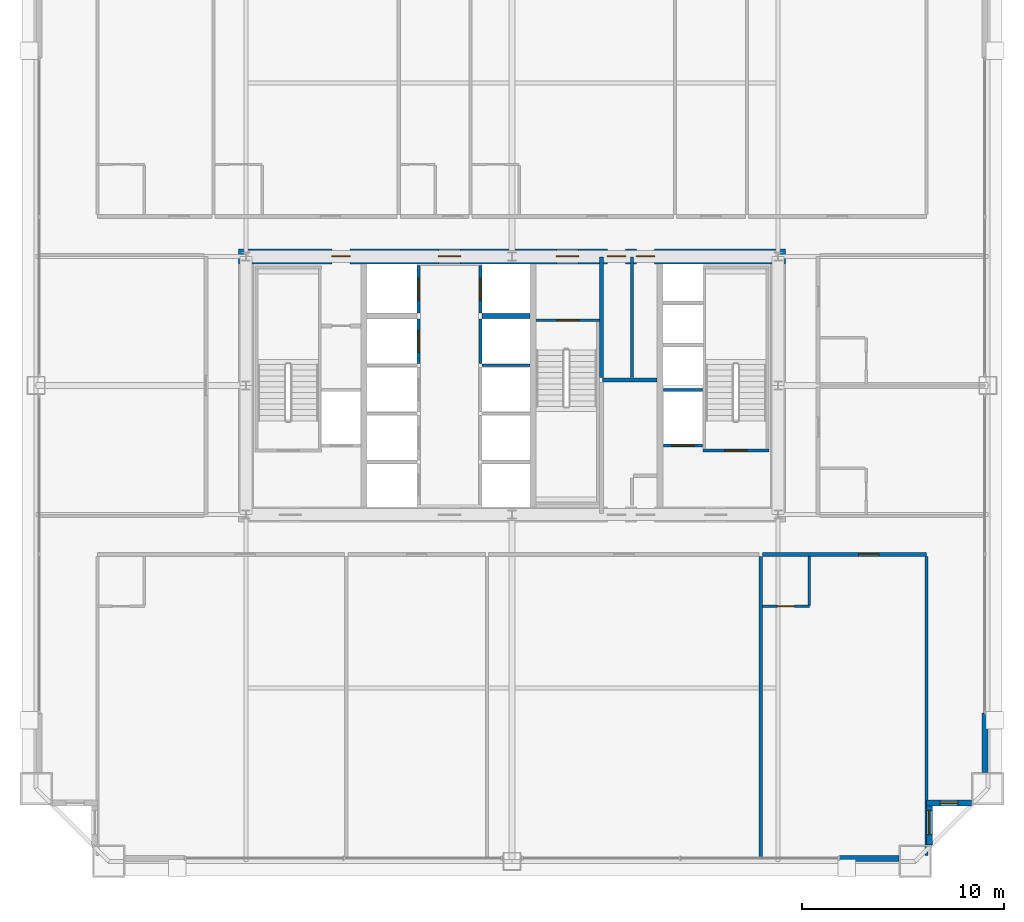
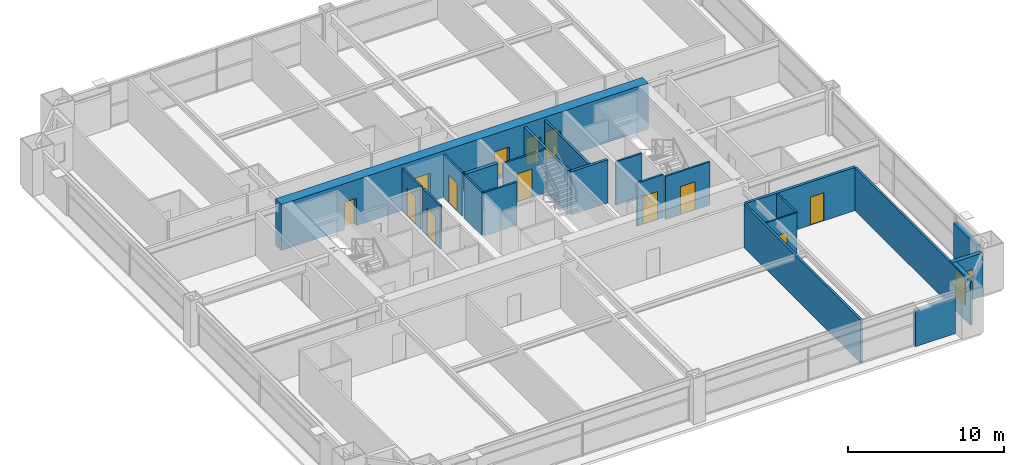
# One storey, part 35 of 38: 23 walls, 13 doors, 2 windows, 15 openings.
"""IFC4 building model written with IfcOpenShell, lengths in metres."""

from ifc_helpers import new_model, si_unit, direction, frame, frame_2d, origin, place, context, subcontext, project, spatial, rectangle, extrude, source, transform, mapped, material, layer, layer_set, type_object, element, fill, save


model = new_model("IFC4")

# Units and contexts
model_context = context("Model", 3, precision=1e-05, world=origin(), true_north=direction((0.0, 1.0)))
body_context = subcontext(model_context, "Body", "Model", "MODEL_VIEW")
ifc_project = project(units=[si_unit("LENGTHUNIT", "METRE"), si_unit("AREAUNIT", "SQUARE_METRE"), si_unit("VOLUMEUNIT", "CUBIC_METRE"), si_unit("PLANEANGLEUNIT", "RADIAN"), si_unit("MASSUNIT", "GRAM", prefix="KILO"), si_unit("THERMODYNAMICTEMPERATUREUNIT", "KELVIN"), si_unit("POWERUNIT", "WATT")], contexts=[model_context])

# Site, building, storey
site_placement = place(None, origin())
site = spatial("IfcSite", under=ifc_project, at=site_placement, CompositionType="ELEMENT")
building_placement = place(site_placement, origin())
building = spatial("IfcBuilding", under=site, at=building_placement, Name="Yuzanri Waterfront Tower", CompositionType="ELEMENT")
storey_placement = place(building_placement, frame((0.0, 0.0, 119.0)))
storey = spatial("IfcBuildingStorey", under=building, at=storey_placement, Name="L31", CompositionType="ELEMENT", Elevation=119.0)

# Wall, opening, door
ifc_material_1 = material(Name="Moisture-Resistant Gypsum Stud Wall", Category="gypsum")
ifc_layer_1 = layer(ifc_material_1, 0.1201171875)
ifc_layer_set_1 = layer_set([ifc_layer_1], Name="Moisture-Resistant Gypsum Stud Wall")
wall_type_1 = type_object("IfcWallType", Name="Bathroom and Kitchen Wet Partition 120", PredefinedType="PARTITIONING", material=ifc_layer_set_1)
wall_1_placement = place(storey_placement, frame((49.416015625, 14.840087890625, 0.0), z_axis=(0.0, 0.0, 1.0), x_axis=(1.0, 0.0, 0.0)))
wall_1 = element("IfcWall", 1, at=wall_1_placement, inside=storey, type_object=wall_type_1, Name="L31 Partition UW-L31-S4-BS", PredefinedType="PARTITIONING", context=body_context, shape_type="SweptSolid", body=[
    extrude(rectangle(XDim=2.330078125, YDim=0.1201171875, at=frame_2d((1.1650390625, 0.0))), origin(), (0.0, 0.0, 1.0), 3.3798828125),
])
opening_1_placement = place(wall_1_placement, frame((0.739990234375, 0.0, 0.0)))
opening_1 = element("IfcOpeningElement", 2, at=opening_1_placement, cuts=wall_1, Name="Opening ID-0850", PredefinedType="OPENING", context=body_context, shape_type="SweptSolid", body=[
    extrude(rectangle(XDim=0.85009765625, YDim=2.10009765625, at=frame_2d((0.425048828125, 1.050048828125))), frame((0.0, 0.074951171875, 0.0), z_axis=(0.0, -1.0, 0.0), x_axis=(1.0, 0.0, 0.0)), (0.0, 0.0, 1.0), 0.14990234375),
])
ifc_material_2 = material(Name="Moisture-Resistant Lacquered Timber", Category="wood")
door_type_1 = type_object("IfcDoorType", Name="En-Suite Bathroom and Kitchen Swing Door 850x2100", OperationType="NOTDEFINED", PredefinedType="DOOR", material=ifc_material_2)
shared_shape_1 = source(origin(), body_context, "Body", "SweptSolid", [
    extrude(rectangle(XDim=0.85009765625, YDim=2.10009765625, at=frame_2d((0.425048828125, 1.050048828125))), frame((0.0, 0.02490234375, 0.0), z_axis=(0.0, -1.0, 0.0), x_axis=(1.0, 0.0, 0.0)), (0.0, 0.0, 1.0), 0.050048828125),
])
door_1_placement = place(opening_1_placement, origin())
door_1 = element("IfcDoor", 3, at=door_1_placement, inside=storey, type_object=door_type_1, Name="L31 Guest En-Suite Door", OperationType="SINGLE_SWING_LEFT", OverallHeight=2.10009765625, OverallWidth=0.85009765625, PredefinedType="DOOR", context=body_context, shape_type="MappedRepresentation", body=[
    mapped(shared_shape_1, transform((0.0, 0.0, 0.0), scale=1.0)),
])
fill(opening_1, door_1)

# Wall, opening, window
ifc_material_3 = material(Name="Honed Chongqing Dark Basalt Stone", Category="masonry")
ifc_layer_2 = layer(ifc_material_3, 0.300048828125)
ifc_layer_set_2 = layer_set([ifc_layer_2], Name="Honed Chongqing Dark Basalt Stone")
wall_type_2 = type_object("IfcWallType", Name="Bronze Rainscreen Insulated Spandrel Portal Wall 300", PredefinedType="SOLIDWALL", material=ifc_layer_set_2)
wall_2_placement = place(storey_placement, frame((57.550048828125, 5.10009765625, 0.0), z_axis=(0.0, 0.0, 1.0), x_axis=(1.0, 0.0, 0.0)))
wall_2 = element("IfcWall", 4, at=wall_2_placement, inside=storey, type_object=wall_type_2, Name="L31 Notched Corner Masonry Wall SE-X", PredefinedType="SOLIDWALL", context=body_context, shape_type="SweptSolid", body=[
    extrude(rectangle(XDim=2.25, YDim=0.300048828125, at=frame_2d((1.125, 0.0))), origin(), (0.0, 0.0, 1.0), 3.3798828125),
])
opening_2_placement = place(wall_2_placement, frame((0.675048828125, 0.0, 0.85009765625)))
opening_2 = element("IfcOpeningElement", 5, at=opening_2_placement, cuts=wall_2, Name="Opening WN-05", PredefinedType="OPENING", context=body_context, shape_type="SweptSolid", body=[
    extrude(rectangle(XDim=0.89990234375, YDim=1.5, at=frame_2d((0.449951171875, 0.75))), frame((0.0, 0.1650390625, 0.0), z_axis=(0.0, -1.0, 0.0), x_axis=(1.0, 0.0, 0.0)), (0.0, 0.0, 1.0), 0.329833984375),
])
ifc_material_4 = material(Name="Double-Silver Low-E Insulated Glass", Category="glass")
window_type_1 = type_object("IfcWindowType", Name="Anodized Bronze Service and Stairwell Smoke-Vent Window 900x1500", PartitioningType="SINGLE_PANEL", PredefinedType="WINDOW", material=ifc_material_4)
shared_shape_2 = source(origin(), body_context, "Body", "SweptSolid", [
    extrude(rectangle(XDim=0.89990234375, YDim=1.5, at=frame_2d((0.449951171875, 0.75))), frame((0.0, 0.030029296875, 0.0), z_axis=(0.0, -1.0, 0.0), x_axis=(1.0, 0.0, 0.0)), (0.0, 0.0, 1.0), 0.06005859375),
])
window_1_placement = place(opening_2_placement, origin())
window_1 = element("IfcWindow", 6, at=window_1_placement, inside=storey, type_object=window_type_1, Name="L31 Notched Corner Window SE-X", OverallHeight=1.5, OverallWidth=0.89990234375, PartitioningType="SINGLE_PANEL", PredefinedType="WINDOW", context=body_context, shape_type="MappedRepresentation", body=[
    mapped(shared_shape_2, transform((0.0, 0.0, 0.0), scale=1.0)),
])
fill(opening_2, window_1)

wall_3_placement = place(storey_placement, frame((57.699951171875, 3.0, 0.0), z_axis=(0.0, 0.0, 1.0), x_axis=(0.0, 1.0, 0.0)))
wall_3 = element("IfcWall", 7, at=wall_3_placement, inside=storey, type_object=wall_type_2, Name="L31 Notched Corner Masonry Wall SE-Y", PredefinedType="SOLIDWALL", context=body_context, shape_type="SweptSolid", body=[
    extrude(rectangle(XDim=2.25, YDim=0.300048828125, at=frame_2d((1.125, 0.0))), origin(), (0.0, 0.0, 1.0), 3.3798828125),
])
opening_3_placement = place(wall_3_placement, frame((0.52490234375, 0.0, 0.85009765625)))
opening_3 = element("IfcOpeningElement", 8, at=opening_3_placement, cuts=wall_3, Name="Opening WN-02", PredefinedType="OPENING", context=body_context, shape_type="SweptSolid", body=[
    extrude(rectangle(XDim=1.199951171875, YDim=2.10009765625, at=frame_2d((0.60009765625, 1.050048828125))), frame((0.0, 0.1650390625, 0.0), z_axis=(0.0, -1.0, 0.0), x_axis=(1.0, 0.0, 0.0)), (0.0, 0.0, 1.0), 0.329833984375),
])
ifc_material_5 = material(Name="Double-Silver Low-E Insulated Glass", Category="glass")
window_type_2 = type_object("IfcWindowType", Name="Anodized Bronze Notched Corner Deep-Set Slot Window 1200x2100", PartitioningType="SINGLE_PANEL", PredefinedType="WINDOW", material=ifc_material_5)
shared_shape_3 = source(origin(), body_context, "Body", "SweptSolid", [
    extrude(rectangle(XDim=1.199951171875, YDim=2.10009765625, at=frame_2d((0.60009765625, 1.050048828125))), frame((0.0, 0.030029296875, 0.0), z_axis=(0.0, -1.0, 0.0), x_axis=(1.0, 0.0, 0.0)), (0.0, 0.0, 1.0), 0.06005859375),
])
window_2_placement = place(opening_3_placement, origin())
window_2 = element("IfcWindow", 9, at=window_2_placement, inside=storey, type_object=window_type_2, Name="L31 Notched Corner Window SE-Y", OverallHeight=2.10009765625, OverallWidth=1.199951171875, PartitioningType="SINGLE_PANEL", PredefinedType="WINDOW", context=body_context, shape_type="MappedRepresentation", body=[
    mapped(shared_shape_3, transform((0.0, 0.0, 0.0), scale=1.0)),
])
fill(opening_3, window_2)

# Wall, openings, doors
ifc_material_6 = material(Name="Concrete C55", Category="concrete")
ifc_layer_3 = layer(ifc_material_6, 0.75)
ifc_layer_set_3 = layer_set([ifc_layer_3], Name="Concrete C55")
wall_type_3 = type_object("IfcWallType", Name="Concrete C55 Low-Mid Zone Core Shear Wall 750", PredefinedType="SHEAR", material=ifc_layer_set_3)
wall_4_placement = place(storey_placement, frame((23.425048828125, 32.199951171875, 0.0), z_axis=(0.0, 0.0, 1.0), x_axis=(1.0, 0.0, 0.0)))
wall_4 = element("IfcWall", 10, at=wall_4_placement, inside=storey, type_object=wall_type_3, Name="L31 Core North Shear Wall", PredefinedType="SHEAR", context=body_context, shape_type="SweptSolid", body=[
    extrude(rectangle(XDim=27.14990234375, YDim=0.75, at=frame_2d((13.574951171875, 0.0))), origin(), (0.0, 0.0, 1.0), 3.60009765625),
])
opening_4_placement = place(wall_4_placement, frame((4.64501953125, 0.0, 0.0)))
opening_4 = element("IfcOpeningElement", 11, at=opening_4_placement, cuts=wall_4, Name="Opening FD-0900", PredefinedType="OPENING", context=body_context, shape_type="SweptSolid", body=[
    extrude(rectangle(XDim=0.89990234375, YDim=2.14990234375, at=frame_2d((0.449951171875, 1.074951171875))), frame((0.0, 0.389892578125, 0.0), z_axis=(0.0, -1.0, 0.0), x_axis=(1.0, 0.0, 0.0)), (0.0, 0.0, 1.0), 0.77978515625),
])
opening_5_placement = place(wall_4_placement, frame((9.925048828125, 0.0, 0.0)))
opening_5 = element("IfcOpeningElement", 12, at=opening_5_placement, cuts=wall_4, Name="Opening FD-1100", PredefinedType="OPENING", context=body_context, shape_type="SweptSolid", body=[
    extrude(rectangle(XDim=1.10009765625, YDim=2.199951171875, at=frame_2d((0.550048828125, 1.10009765625))), frame((0.0, 0.389892578125, 0.0), z_axis=(0.0, -1.0, 0.0), x_axis=(1.0, 0.0, 0.0)), (0.0, 0.0, 1.0), 0.77978515625),
])
opening_6_placement = place(wall_4_placement, frame((15.77490234375, 0.0, 0.0)))
opening_6 = element("IfcOpeningElement", 13, at=opening_6_placement, cuts=wall_4, Name="Opening FD-1100", PredefinedType="OPENING", context=body_context, shape_type="SweptSolid", body=[
    extrude(rectangle(XDim=1.10009765625, YDim=2.199951171875, at=frame_2d((0.550048828125, 1.10009765625))), frame((0.0, 0.389892578125, 0.0), z_axis=(0.0, -1.0, 0.0), x_axis=(1.0, 0.0, 0.0)), (0.0, 0.0, 1.0), 0.77978515625),
])
opening_7_placement = place(wall_4_placement, frame((18.304931640625, 0.0, 0.0)))
opening_7 = element("IfcOpeningElement", 14, at=opening_7_placement, cuts=wall_4, Name="Opening FD-0900", PredefinedType="OPENING", context=body_context, shape_type="SweptSolid", body=[
    extrude(rectangle(XDim=0.89990234375, YDim=2.14990234375, at=frame_2d((0.449951171875, 1.074951171875))), frame((0.0, 0.389892578125, 0.0), z_axis=(0.0, -1.0, 0.0), x_axis=(1.0, 0.0, 0.0)), (0.0, 0.0, 1.0), 0.77978515625),
])
opening_8_placement = place(wall_4_placement, frame((19.7451171875, 0.0, 0.0)))
opening_8 = element("IfcOpeningElement", 15, at=opening_8_placement, cuts=wall_4, Name="Opening FD-0900", PredefinedType="OPENING", context=body_context, shape_type="SweptSolid", body=[
    extrude(rectangle(XDim=0.89990234375, YDim=2.14990234375, at=frame_2d((0.449951171875, 1.074951171875))), frame((0.0, 0.389892578125, 0.0), z_axis=(0.0, -1.0, 0.0), x_axis=(1.0, 0.0, 0.0)), (0.0, 0.0, 1.0), 0.77978515625),
])
ifc_material_7 = material(Name="Painted Galvanized Fire Steel", Category="steel")
door_type_2 = type_object("IfcDoorType", Name="Smoke-Proof Stair and Lobby Fire Door 1100x2200", OperationType="NOTDEFINED", PredefinedType="DOOR", material=ifc_material_7)
shared_shape_4 = source(origin(), body_context, "Body", "SweptSolid", [
    extrude(rectangle(XDim=1.10009765625, YDim=2.199951171875, at=frame_2d((0.550048828125, 1.10009765625))), frame((0.0, 0.02490234375, 0.0), z_axis=(0.0, -1.0, 0.0), x_axis=(1.0, 0.0, 0.0)), (0.0, 0.0, 1.0), 0.050048828125),
])
door_2_placement = place(opening_5_placement, origin())
door_2 = element("IfcDoor", 16, at=door_2_placement, inside=storey, type_object=door_type_2, Name="L31 Central Lift Lobby North Door", OperationType="SINGLE_SWING_LEFT", OverallHeight=2.199951171875, OverallWidth=1.10009765625, PredefinedType="DOOR", context=body_context, shape_type="MappedRepresentation", body=[
    mapped(shared_shape_4, transform((0.0, 0.0, 0.0), scale=1.0)),
])
fill(opening_5, door_2)
door_3_placement = place(opening_6_placement, origin())
door_3 = element("IfcDoor", 17, at=door_3_placement, inside=storey, type_object=door_type_2, Name="L31 North Stair Lobby Door", OperationType="SINGLE_SWING_RIGHT", OverallHeight=2.199951171875, OverallWidth=1.10009765625, PredefinedType="DOOR", context=body_context, shape_type="MappedRepresentation", body=[
    mapped(shared_shape_4, transform((0.0, 0.0, 0.0), scale=1.0)),
])
fill(opening_6, door_3)
ifc_material_8 = material(Name="Painted Galvanized Fire Steel", Category="steel")
door_type_3 = type_object("IfcDoorType", Name="Riser and Service Room Fire Door 900x2150", OperationType="NOTDEFINED", PredefinedType="DOOR", material=ifc_material_8)
shared_shape_5 = source(origin(), body_context, "Body", "SweptSolid", [
    extrude(rectangle(XDim=0.89990234375, YDim=2.14990234375, at=frame_2d((0.449951171875, 1.074951171875))), frame((0.0, 0.02490234375, 0.0), z_axis=(0.0, -1.0, 0.0), x_axis=(1.0, 0.0, 0.0)), (0.0, 0.0, 1.0), 0.050048828125),
])
door_4_placement = place(opening_4_placement, origin())
door_4 = element("IfcDoor", 18, at=door_4_placement, inside=storey, type_object=door_type_3, Name="L31 Telecom Riser Door", OperationType="SINGLE_SWING_RIGHT", OverallHeight=2.14990234375, OverallWidth=0.89990234375, PredefinedType="DOOR", context=body_context, shape_type="MappedRepresentation", body=[
    mapped(shared_shape_5, transform((0.0, 0.0, 0.0), scale=1.0)),
])
fill(opening_4, door_4)
door_5_placement = place(opening_7_placement, origin())
door_5 = element("IfcDoor", 19, at=door_5_placement, inside=storey, type_object=door_type_3, Name="L31 Common Store Room", OperationType="SINGLE_SWING_RIGHT", OverallHeight=2.14990234375, OverallWidth=0.89990234375, PredefinedType="DOOR", context=body_context, shape_type="MappedRepresentation", body=[
    mapped(shared_shape_5, transform((0.0, 0.0, 0.0), scale=1.0)),
])
fill(opening_7, door_5)
door_6_placement = place(opening_8_placement, origin())
door_6 = element("IfcDoor", 20, at=door_6_placement, inside=storey, type_object=door_type_3, Name="L31 Linen Store Room", OperationType="SINGLE_SWING_LEFT", OverallHeight=2.14990234375, OverallWidth=0.89990234375, PredefinedType="DOOR", context=body_context, shape_type="MappedRepresentation", body=[
    mapped(shared_shape_5, transform((0.0, 0.0, 0.0), scale=1.0)),
])
fill(opening_8, door_6)

# Wall, opening, door
ifc_material_9 = material(Name="Concrete C40", Category="concrete")
ifc_layer_4 = layer(ifc_material_9, 0.139892578125)
ifc_layer_set_4 = layer_set([ifc_layer_4], Name="Concrete C40")
wall_type_4 = type_object("IfcWallType", Name="Core Stair Liner and Hoistway Shaft Wall 140", PredefinedType="SOLIDWALL", material=ifc_layer_set_4)
wall_5_placement = place(storey_placement, frame((44.52001953125, 22.830078125, 0.0), z_axis=(0.0, 0.0, 1.0), x_axis=(1.0, 0.0, 0.0)))
wall_5 = element("IfcWall", 21, at=wall_5_placement, inside=storey, type_object=wall_type_4, Name="L31 Lift FL-02 Front Shaft Wall", PredefinedType="SOLIDWALL", context=body_context, shape_type="SweptSolid", body=[
    extrude(rectangle(XDim=1.919921875, YDim=0.139892578125, at=frame_2d((0.9599609375, 0.0))), origin(), (0.0, 0.0, 1.0), 3.3798828125),
])
opening_9_placement = place(wall_5_placement, frame((0.409912109375, 0.0, 0.0)))
opening_9 = element("IfcOpeningElement", 22, at=opening_9_placement, cuts=wall_5, Name="Opening LD-FL-02", PredefinedType="OPENING", context=body_context, shape_type="SweptSolid", body=[
    extrude(rectangle(XDim=1.10009765625, YDim=2.199951171875, at=frame_2d((0.550048828125, 1.10009765625))), frame((0.0, 0.0849609375, 0.0), z_axis=(0.0, -1.0, 0.0), x_axis=(1.0, 0.0, 0.0)), (0.0, 0.0, 1.0), 0.169677734375),
])
ifc_material_10 = material(Name="Brushed Bronze and Stainless Steel Cab", Category="steel")
door_type_4 = type_object("IfcDoorType", Name="Center-Parting Bronze Lift Landing Sliding Door 1100x2200", OperationType="NOTDEFINED", PredefinedType="DOOR", material=ifc_material_10)
shared_shape_6 = source(origin(), body_context, "Body", "SweptSolid", [
    extrude(rectangle(XDim=1.10009765625, YDim=2.199951171875, at=frame_2d((0.550048828125, 1.10009765625))), frame((0.0, 0.02490234375, 0.0), z_axis=(0.0, -1.0, 0.0), x_axis=(1.0, 0.0, 0.0)), (0.0, 0.0, 1.0), 0.050048828125),
])
door_7_placement = place(opening_9_placement, origin())
door_7 = element("IfcDoor", 23, at=door_7_placement, inside=storey, type_object=door_type_4, Name="L31 FL-02 Lift Landing Sliding Door", OperationType="SLIDING_TO_RIGHT", OverallHeight=2.199951171875, OverallWidth=1.10009765625, PredefinedType="DOOR", context=body_context, shape_type="MappedRepresentation", body=[
    mapped(shared_shape_6, transform((0.0, 0.0, 0.0), scale=1.0)),
])
fill(opening_9, door_7)

wall_6_placement = place(storey_placement, frame((32.3701171875, 26.89990234375, 0.0), z_axis=(0.0, 0.0, 1.0), x_axis=(0.0, 1.0, 0.0)))
wall_6 = element("IfcWall", 24, at=wall_6_placement, inside=storey, type_object=wall_type_4, Name="L31 Lift PL-04 Front Shaft Wall", PredefinedType="SOLIDWALL", context=body_context, shape_type="SweptSolid", body=[
    extrude(rectangle(XDim=2.2001953125, YDim=0.139892578125, at=frame_2d((1.10009765625, 0.0))), origin(), (0.0, 0.0, 1.0), 3.3798828125),
])
opening_10_placement = place(wall_6_placement, frame((0.550048828125, 0.0, 0.0)))
opening_10 = element("IfcOpeningElement", 25, at=opening_10_placement, cuts=wall_6, Name="Opening LD-PL-04", PredefinedType="OPENING", context=body_context, shape_type="SweptSolid", body=[
    extrude(rectangle(XDim=1.10009765625, YDim=2.199951171875, at=frame_2d((0.550048828125, 1.10009765625))), frame((0.0, 0.0849609375, 0.0), z_axis=(0.0, -1.0, 0.0), x_axis=(1.0, 0.0, 0.0)), (0.0, 0.0, 1.0), 0.169677734375),
])
door_8_placement = place(opening_10_placement, origin())
door_8 = element("IfcDoor", 26, at=door_8_placement, inside=storey, type_object=door_type_4, Name="L31 PL-04 Lift Landing Sliding Door", OperationType="SLIDING_TO_RIGHT", OverallHeight=2.199951171875, OverallWidth=1.10009765625, PredefinedType="DOOR", context=body_context, shape_type="MappedRepresentation", body=[
    mapped(shared_shape_6, transform((0.0, 0.0, 0.0), scale=1.0)),
])
fill(opening_10, door_8)

wall_7_placement = place(storey_placement, frame((32.3701171875, 29.39990234375, 0.0), z_axis=(0.0, 0.0, 1.0), x_axis=(0.0, 1.0, 0.0)))
wall_7 = element("IfcWall", 27, at=wall_7_placement, inside=storey, type_object=wall_type_4, Name="L31 Lift SL-01 Front Shaft Wall", PredefinedType="SOLIDWALL", context=body_context, shape_type="SweptSolid", body=[
    extrude(rectangle(XDim=2.340087890625, YDim=0.139892578125, at=frame_2d((1.169921875, 0.0))), origin(), (0.0, 0.0, 1.0), 3.3798828125),
])
opening_11_placement = place(wall_7_placement, frame((0.6201171875, 0.0, 0.0)))
opening_11 = element("IfcOpeningElement", 28, at=opening_11_placement, cuts=wall_7, Name="Opening LD-SL-01", PredefinedType="OPENING", context=body_context, shape_type="SweptSolid", body=[
    extrude(rectangle(XDim=1.10009765625, YDim=2.199951171875, at=frame_2d((0.550048828125, 1.10009765625))), frame((0.0, 0.0849609375, 0.0), z_axis=(0.0, -1.0, 0.0), x_axis=(1.0, 0.0, 0.0)), (0.0, 0.0, 1.0), 0.169677734375),
])
door_9_placement = place(opening_11_placement, origin())
door_9 = element("IfcDoor", 29, at=door_9_placement, inside=storey, type_object=door_type_4, Name="L31 SL-01 Lift Landing Sliding Door", OperationType="SLIDING_TO_LEFT", OverallHeight=2.199951171875, OverallWidth=1.10009765625, PredefinedType="DOOR", context=body_context, shape_type="MappedRepresentation", body=[
    mapped(shared_shape_6, transform((0.0, 0.0, 0.0), scale=1.0)),
])
fill(opening_11, door_9)

wall_8_placement = place(storey_placement, frame((35.429931640625, 29.39990234375, 0.0), z_axis=(0.0, 0.0, 1.0), x_axis=(0.0, 1.0, 0.0)))
wall_8 = element("IfcWall", 30, at=wall_8_placement, inside=storey, type_object=wall_type_4, Name="L31 Lift SL-02 Front Shaft Wall", PredefinedType="SOLIDWALL", context=body_context, shape_type="SweptSolid", body=[
    extrude(rectangle(XDim=2.340087890625, YDim=0.139892578125, at=frame_2d((1.169921875, 0.0))), origin(), (0.0, 0.0, 1.0), 3.3798828125),
])
opening_12_placement = place(wall_8_placement, frame((0.6201171875, 0.0, 0.0)))
opening_12 = element("IfcOpeningElement", 31, at=opening_12_placement, cuts=wall_8, Name="Opening LD-SL-02", PredefinedType="OPENING", context=body_context, shape_type="SweptSolid", body=[
    extrude(rectangle(XDim=1.10009765625, YDim=2.199951171875, at=frame_2d((0.550048828125, 1.10009765625))), frame((0.0, 0.0849609375, 0.0), z_axis=(0.0, -1.0, 0.0), x_axis=(1.0, 0.0, 0.0)), (0.0, 0.0, 1.0), 0.169677734375),
])
door_10_placement = place(opening_12_placement, origin())
door_10 = element("IfcDoor", 32, at=door_10_placement, inside=storey, type_object=door_type_4, Name="L31 SL-02 Lift Landing Sliding Door", OperationType="SLIDING_TO_RIGHT", OverallHeight=2.199951171875, OverallWidth=1.10009765625, PredefinedType="DOOR", context=body_context, shape_type="MappedRepresentation", body=[
    mapped(shared_shape_6, transform((0.0, 0.0, 0.0), scale=1.0)),
])
fill(opening_12, door_10)

wall_9_placement = place(storey_placement, frame((46.4599609375, 22.570068359375, 0.0), z_axis=(0.0, 0.0, 1.0), x_axis=(1.0, 0.0, 0.0)))
wall_9 = element("IfcWall", 33, at=wall_9_placement, inside=storey, type_object=wall_type_4, Name="L31 Shaft Wall STW-L31-ST-02-S", PredefinedType="SOLIDWALL", context=body_context, shape_type="SweptSolid", body=[
    extrude(rectangle(XDim=3.280029296875, YDim=0.139892578125, at=frame_2d((1.64013671875, 0.0))), origin(), (0.0, 0.0, 1.0), 3.3798828125),
])
opening_13_placement = place(wall_9_placement, frame((1.090087890625, 0.0, 0.0)))
opening_13 = element("IfcOpeningElement", 34, at=opening_13_placement, cuts=wall_9, Name="Opening FD-1100", PredefinedType="OPENING", context=body_context, shape_type="SweptSolid", body=[
    extrude(rectangle(XDim=1.10009765625, YDim=2.199951171875, at=frame_2d((0.550048828125, 1.10009765625))), frame((0.0, 0.0849609375, 0.0), z_axis=(0.0, -1.0, 0.0), x_axis=(1.0, 0.0, 0.0)), (0.0, 0.0, 1.0), 0.169677734375),
])
door_11_placement = place(opening_13_placement, origin())
door_11 = element("IfcDoor", 35, at=door_11_placement, inside=storey, type_object=door_type_2, Name="L31 Stair ST-02 Fire Door", OperationType="SINGLE_SWING_LEFT", OverallHeight=2.199951171875, OverallWidth=1.10009765625, PredefinedType="DOOR", context=body_context, shape_type="MappedRepresentation", body=[
    mapped(shared_shape_4, transform((0.0, 0.0, 0.0), scale=1.0)),
])
fill(opening_13, door_11)

wall_10_placement = place(storey_placement, frame((38.199951171875, 29.030029296875, 0.0), z_axis=(0.0, 0.0, 1.0), x_axis=(1.0, 0.0, 0.0)))
wall_10 = element("IfcWall", 36, at=wall_10_placement, inside=storey, type_object=wall_type_4, Name="L31 Shaft Wall STW-L31-ST-03-N", PredefinedType="SOLIDWALL", context=body_context, shape_type="SweptSolid", body=[
    extrude(rectangle(XDim=3.14013671875, YDim=0.139892578125, at=frame_2d((1.570068359375, 0.0))), origin(), (0.0, 0.0, 1.0), 3.3798828125),
])
opening_14_placement = place(wall_10_placement, frame((1.02001953125, 0.0, 0.0)))
opening_14 = element("IfcOpeningElement", 37, at=opening_14_placement, cuts=wall_10, Name="Opening FD-1100", PredefinedType="OPENING", context=body_context, shape_type="SweptSolid", body=[
    extrude(rectangle(XDim=1.10009765625, YDim=2.199951171875, at=frame_2d((0.550048828125, 1.10009765625))), frame((0.0, 0.0849609375, 0.0), z_axis=(0.0, -1.0, 0.0), x_axis=(1.0, 0.0, 0.0)), (0.0, 0.0, 1.0), 0.169677734375),
])
door_12_placement = place(opening_14_placement, origin())
door_12 = element("IfcDoor", 38, at=door_12_placement, inside=storey, type_object=door_type_2, Name="L31 Stair ST-03 Fire Door", OperationType="SINGLE_SWING_RIGHT", OverallHeight=2.199951171875, OverallWidth=1.10009765625, PredefinedType="DOOR", context=body_context, shape_type="MappedRepresentation", body=[
    mapped(shared_shape_4, transform((0.0, 0.0, 0.0), scale=1.0)),
])
fill(opening_14, door_12)

ifc_material_11 = material(Name="Autoclaved Aerated Concrete Blockwork", Category="masonry")
ifc_layer_5 = layer(ifc_material_11, 0.199951171875)
ifc_layer_set_5 = layer_set([ifc_layer_5], Name="Autoclaved Aerated Concrete Blockwork")
wall_type_5 = type_object("IfcWallType", Name="Corridor and Unit Party Fire Wall 200", PredefinedType="PARTITIONING", material=ifc_layer_set_5)
wall_11_placement = place(storey_placement, frame((49.416015625, 17.419921875, 0.0), z_axis=(0.0, 0.0, 1.0), x_axis=(1.0, 0.0, 0.0)))
wall_11 = element("IfcWall", 39, at=wall_11_placement, inside=storey, type_object=wall_type_5, Name="L31 Partition UW-L31-S4-CN", PredefinedType="PARTITIONING", context=body_context, shape_type="SweptSolid", body=[
    extrude(rectangle(XDim=8.14404296875, YDim=0.199951171875, at=frame_2d((4.072021484375, 0.0))), origin(), (0.0, 0.0, 1.0), 3.3798828125),
])
opening_15_placement = place(wall_11_placement, frame((4.777099609375, 0.0, 0.0)))
opening_15 = element("IfcOpeningElement", 40, at=opening_15_placement, cuts=wall_11, Name="Opening FD-1000", PredefinedType="OPENING", context=body_context, shape_type="SweptSolid", body=[
    extrude(rectangle(XDim=1.0, YDim=2.199951171875, at=frame_2d((0.5, 1.10009765625))), frame((0.0, 0.11474609375, 0.0), z_axis=(0.0, -1.0, 0.0), x_axis=(1.0, 0.0, 0.0)), (0.0, 0.0, 1.0), 0.229736328125),
])
ifc_material_12 = material(Name="Engineered Oak Fire-Rated Timber", Category="wood")
door_type_5 = type_object("IfcDoorType", Name="Guestroom and Apartment Entrance Fire Door 1000x2200", OperationType="NOTDEFINED", PredefinedType="DOOR", material=ifc_material_12)
shared_shape_7 = source(origin(), body_context, "Body", "SweptSolid", [
    extrude(rectangle(XDim=1.0, YDim=2.199951171875, at=frame_2d((0.5, 1.10009765625))), frame((0.0, 0.02490234375, 0.0), z_axis=(0.0, -1.0, 0.0), x_axis=(1.0, 0.0, 0.0)), (0.0, 0.0, 1.0), 0.050048828125),
])
door_13_placement = place(opening_15_placement, origin())
door_13 = element("IfcDoor", 41, at=door_13_placement, inside=storey, type_object=door_type_5, Name="L31 Grand Riverview Suite Entrance Door", OperationType="SINGLE_SWING_RIGHT", OverallHeight=2.199951171875, OverallWidth=1.0, PredefinedType="DOOR", context=body_context, shape_type="MappedRepresentation", body=[
    mapped(shared_shape_7, transform((0.0, 0.0, 0.0), scale=1.0)),
])
fill(opening_15, door_13)

# Walls
shared_shape_8 = source(origin(), body_context, "Body", "SweptSolid", [
    extrude(rectangle(XDim=2.949951171875, YDim=0.300048828125, at=frame_2d((1.47509765625, 0.0))), origin(), (0.0, 0.0, 1.0), 2.77490234375),
])
for number, where, z_axis, x_axis, name in (
    (42, (53.25, 2.35009765625, 0.0), (0.0, 0.0, 1.0), (1.0, 0.0, 0.0), "L31 S Right Braced Masonry Shoulder"),
    (43, (60.449951171875, 6.60009765625, 0.0), (0.0, 0.0, 1.0), (0.0, 1.0, 0.0), "L31 E Left Braced Masonry Shoulder"),
):
    element("IfcWall", number, at=place(storey_placement, frame(where, z_axis=z_axis, x_axis=x_axis)), inside=storey, type_object=wall_type_2, Name=name, PredefinedType="SOLIDWALL", context=body_context, shape_type="MappedRepresentation", body=[
        mapped(shared_shape_8, transform((0.0, 0.0, 0.0), scale=1.0)),
    ])
shared_shape_9 = source(origin(), body_context, "Body", "SweptSolid", [
    extrude(rectangle(XDim=1.919921875, YDim=0.139892578125, at=frame_2d((0.9599609375, 0.0))), origin(), (0.0, 0.0, 1.0), 3.3798828125),
])
wall_12_placement = place(storey_placement, frame((44.52001953125, 25.570068359375, 0.0), z_axis=(0.0, 0.0, 1.0), x_axis=(1.0, 0.0, 0.0)))
element("IfcWall", 44, at=wall_12_placement, inside=storey, type_object=wall_type_4, Name="L31 Lift FL-02 Back Shaft Wall", PredefinedType="SOLIDWALL", context=body_context, shape_type="MappedRepresentation", body=[
    mapped(shared_shape_9, transform((0.0, 0.0, 0.0), scale=1.0)),
])
shared_shape_10 = source(origin(), body_context, "Body", "SweptSolid", [
    extrude(rectangle(XDim=2.39990234375, YDim=0.139892578125, at=frame_2d((1.199951171875, 0.0))), origin(), (0.0, 0.0, 1.0), 3.3798828125),
])
wall_13_placement = place(storey_placement, frame((35.5, 26.800048828125, 0.0), z_axis=(0.0, 0.0, 1.0), x_axis=(1.0, 0.0, 0.0)))
element("IfcWall", 45, at=wall_13_placement, inside=storey, type_object=wall_type_4, Name="L31 Lift PL-07 Divider Wall", PredefinedType="SOLIDWALL", context=body_context, shape_type="MappedRepresentation", body=[
    mapped(shared_shape_10, transform((0.0, 0.0, 0.0), scale=1.0)),
])
shared_shape_11 = source(origin(), body_context, "Body", "SweptSolid", [
    extrude(rectangle(XDim=2.2001953125, YDim=0.139892578125, at=frame_2d((1.10009765625, 0.0))), origin(), (0.0, 0.0, 1.0), 3.3798828125),
])
wall_14_placement = place(storey_placement, frame((35.429931640625, 26.89990234375, 0.0), z_axis=(0.0, 0.0, 1.0), x_axis=(0.0, 1.0, 0.0)))
element("IfcWall", 46, at=wall_14_placement, inside=storey, type_object=wall_type_4, Name="L31 Lift PL-08 Front Shaft Wall", PredefinedType="SOLIDWALL", context=body_context, shape_type="MappedRepresentation", body=[
    mapped(shared_shape_11, transform((0.0, 0.0, 0.0), scale=1.0)),
])
ifc_material_13 = material(Name="Concrete C40", Category="concrete")
ifc_layer_6 = layer(ifc_material_13, 0.25)
ifc_layer_set_6 = layer_set([ifc_layer_6], Name="Concrete C40")
wall_type_6 = type_object("IfcWallType", Name="Smoke-Proof Stair and Lift Shaft Wall 250", PredefinedType="SOLIDWALL", material=ifc_layer_set_6)
shared_shape_12 = source(origin(), body_context, "Body", "SweptSolid", [
    extrude(rectangle(XDim=2.39990234375, YDim=0.25, at=frame_2d((1.199951171875, 0.0))), origin(), (0.0, 0.0, 1.0), 3.3798828125),
])
wall_15_placement = place(storey_placement, frame((35.5, 29.25, 0.0), z_axis=(0.0, 0.0, 1.0), x_axis=(1.0, 0.0, 0.0)))
element("IfcWall", 47, at=wall_15_placement, inside=storey, type_object=wall_type_6, Name="L31 Lift SL-02 South Shaft Wall", PredefinedType="SOLIDWALL", context=body_context, shape_type="MappedRepresentation", body=[
    mapped(shared_shape_12, transform((0.0, 0.0, 0.0), scale=1.0)),
])
shared_shape_13 = source(origin(), body_context, "Body", "SweptSolid", [
    extrude(rectangle(XDim=2.420166015625, YDim=0.1201171875, at=frame_2d((1.2099609375, 0.0))), origin(), (0.0, 0.0, 1.0), 3.3798828125),
])
wall_16_placement = place(storey_placement, frame((51.74609375, 14.89990234375, 0.0), z_axis=(0.0, 0.0, 1.0), x_axis=(0.0, 1.0, 0.0)))
element("IfcWall", 48, at=wall_16_placement, inside=storey, type_object=wall_type_1, Name="L31-S4 En-Suite Side Wall", PredefinedType="PARTITIONING", context=body_context, shape_type="MappedRepresentation", body=[
    mapped(shared_shape_13, transform((0.0, 0.0, 0.0), scale=1.0)),
])
shared_shape_14 = source(origin(), body_context, "Body", "SweptSolid", [
    extrude(rectangle(XDim=2.699951171875, YDim=0.199951171875, at=frame_2d((1.35009765625, 0.0))), origin(), (0.0, 0.0, 1.0), 3.3798828125),
])
wall_17_placement = place(storey_placement, frame((41.5, 26.070068359375, 0.0), z_axis=(0.0, 0.0, 1.0), x_axis=(1.0, 0.0, 0.0)))
element("IfcWall", 49, at=wall_17_placement, inside=storey, type_object=wall_type_5, Name="L31 Core BOH Split Wall 1", PredefinedType="PARTITIONING", context=body_context, shape_type="MappedRepresentation", body=[
    mapped(shared_shape_14, transform((0.0, 0.0, 0.0), scale=1.0)),
])
shared_shape_15 = source(origin(), body_context, "Body", "SweptSolid", [
    extrude(rectangle(XDim=5.9599609375, YDim=0.199951171875, at=frame_2d((2.97998046875, 0.0))), origin(), (0.0, 0.0, 1.0), 3.3798828125),
])
wall_18_placement = place(storey_placement, frame((41.449951171875, 26.199951171875, 0.0), z_axis=(0.0, 0.0, 1.0), x_axis=(0.0, 1.0, 0.0)))
element("IfcWall", 50, at=wall_18_placement, inside=storey, type_object=wall_type_5, Name="L31 Core BOH West Wall 2", PredefinedType="PARTITIONING", context=body_context, shape_type="MappedRepresentation", body=[
    mapped(shared_shape_15, transform((0.0, 0.0, 0.0), scale=1.0)),
])
ifc_material_14 = material(Name="Gypsum Fireboard Acoustic Stud Wall", Category="gypsum")
ifc_layer_7 = layer(ifc_material_14, 0.159912109375)
ifc_layer_set_7 = layer_set([ifc_layer_7], Name="Gypsum Fireboard Acoustic Stud Wall")
wall_type_7 = type_object("IfcWallType", Name="Acoustic Suite Demising Partition 160", PredefinedType="PARTITIONING", material=ifc_layer_set_7)
shared_shape_16 = source(origin(), body_context, "Body", "SweptSolid", [
    extrude(rectangle(XDim=5.9599609375, YDim=0.159912109375, at=frame_2d((2.97998046875, 0.0))), origin(), (0.0, 0.0, 1.0), 3.3798828125),
])
wall_19_placement = place(storey_placement, frame((42.949951171875, 26.199951171875, 0.0), z_axis=(0.0, 0.0, 1.0), x_axis=(0.0, 1.0, 0.0)))
element("IfcWall", 51, at=wall_19_placement, inside=storey, type_object=wall_type_7, Name="L31 Core BOH Mid Wall 3", PredefinedType="PARTITIONING", context=body_context, shape_type="MappedRepresentation", body=[
    mapped(shared_shape_16, transform((0.0, 0.0, 0.0), scale=1.0)),
])
shared_shape_17 = source(origin(), body_context, "Body", "SweptSolid", [
    extrude(rectangle(XDim=14.969970703125, YDim=0.159912109375, at=frame_2d((7.48486328125, 0.0))), origin(), (0.0, 0.0, 1.0), 3.3798828125),
])
wall_20_placement = place(storey_placement, frame((49.3359375, 2.35009765625, 0.0), z_axis=(0.0, 0.0, 1.0), x_axis=(0.0, 1.0, 0.0)))
element("IfcWall", 52, at=wall_20_placement, inside=storey, type_object=wall_type_7, Name="L31-S3 Party Wall", PredefinedType="PARTITIONING", context=body_context, shape_type="MappedRepresentation", body=[
    mapped(shared_shape_17, transform((0.0, 0.0, 0.0), scale=1.0)),
])
shared_shape_18 = source(origin(), body_context, "Body", "SweptSolid", [
    extrude(rectangle(XDim=14.820068359375, YDim=0.159912109375, at=frame_2d((7.41015625, 0.0))), origin(), (0.0, 0.0, 1.0), 3.3798828125),
])
wall_21_placement = place(storey_placement, frame((57.550048828125, 2.5, 0.0), z_axis=(0.0, 0.0, 1.0), x_axis=(0.0, 1.0, 0.0)))
element("IfcWall", 53, at=wall_21_placement, inside=storey, type_object=wall_type_7, Name="L31 South Band East End Wall", PredefinedType="PARTITIONING", context=body_context, shape_type="MappedRepresentation", body=[
    mapped(shared_shape_18, transform((0.0, 0.0, 0.0), scale=1.0)),
])

save(model, "model.ifc")
